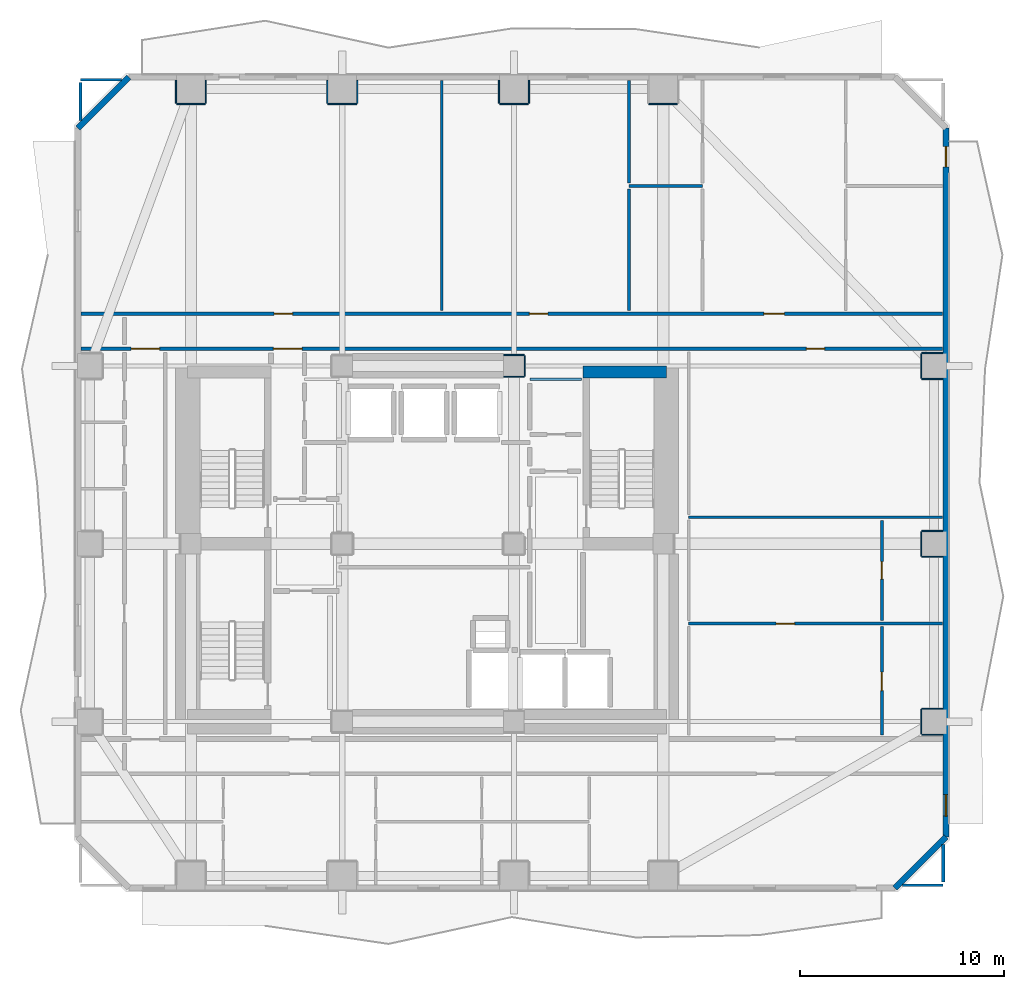
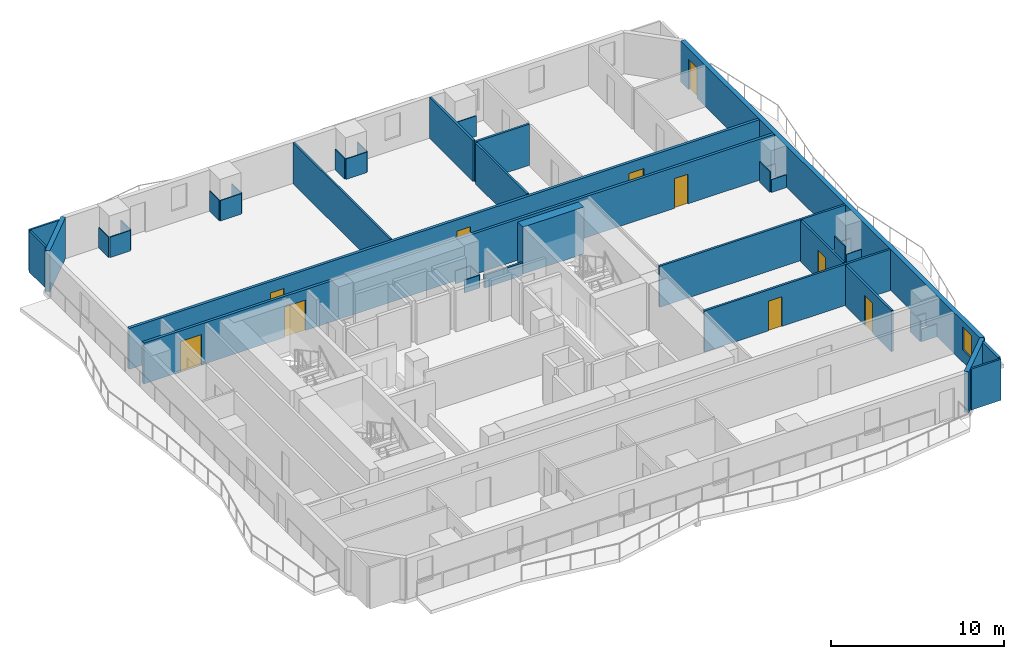
# One storey, part 5 of 10: 41 walls, 10 doors, 1 window, 11 openings.
"""IFC4 building model written with IfcOpenShell, lengths in metres."""

from ifc_helpers import new_model, si_unit, direction, frame, frame_2d, origin, place, context, subcontext, project, spatial, rectangle, extrude, material, layer, layer_set, type_object, element, fill, save


model = new_model("IFC4")

# Units and contexts
model_context = context("Model", 3, precision=1e-05, world=origin(), true_north=direction((0.0, 1.0)))
body_context = subcontext(model_context, "Body", "Model", "MODEL_VIEW")
ifc_project = project(units=[si_unit("LENGTHUNIT", "METRE"), si_unit("AREAUNIT", "SQUARE_METRE"), si_unit("VOLUMEUNIT", "CUBIC_METRE"), si_unit("PLANEANGLEUNIT", "RADIAN"), si_unit("MASSUNIT", "GRAM", prefix="KILO")], contexts=[model_context])

# Site, building, storey
site_placement = place(None, origin())
site = spatial("IfcSite", under=ifc_project, at=site_placement, CompositionType="ELEMENT")
building_placement = place(site_placement, origin())
building = spatial("IfcBuilding", under=site, at=building_placement, Name="Solanera Arch Residences", CompositionType="ELEMENT")
storey_placement = place(building_placement, frame((0.0, 0.0, 78.43994140625)))
storey = spatial("IfcBuildingStorey", under=building, at=storey_placement, Name="L22", CompositionType="ELEMENT", Elevation=78.43994140625)

# Walls
ifc_material_1 = material(Name="Fire-Rated Gypsum Stud Partition", Category="gypsum")
ifc_layer_1 = layer(ifc_material_1, 0.06005859375)
ifc_layer_set_1 = layer_set([ifc_layer_1], Name="Fire-Rated Gypsum Stud Partition")
wall_type_1 = type_object("IfcWallType", Name="Column Acoustic Furring Wall 60", PredefinedType="PARTITIONING", material=ifc_layer_set_1)
for number, where, z_axis, x_axis, name in (
    (1, (28.7099609375, 38.867919921875, 0.0), (0.0, 0.0, 1.0), (1.0, 0.0, 0.0), "L22 Column Furring 4S"),
    (2, (28.7099609375, 39.931884765625, 0.0), (0.0, 0.0, 1.0), (1.0, 0.0, 0.0), "L22 Column Furring 4N"),
):
    element("IfcWall", number, at=place(storey_placement, frame(where, z_axis=z_axis, x_axis=x_axis)), inside=storey, type_object=wall_type_1, Name=name, PredefinedType="PARTITIONING", context=body_context, shape_type="SweptSolid", body=[
        extrude(rectangle(XDim=0.989990234375, YDim=0.06005859375, at=frame_2d((0.4951171875, 0.0))), origin(), (0.0, 0.0, 1.0), 0.905029296875),
    ])
wall_1_placement = place(storey_placement, frame((29.73193359375, 38.89990234375, 0.0), z_axis=(0.0, 0.0, 1.0), x_axis=(0.0, 1.0, 0.0)))
element("IfcWall", 3, at=wall_1_placement, inside=storey, type_object=wall_type_1, Name="L22 Column Furring 4E", PredefinedType="PARTITIONING", context=body_context, shape_type="SweptSolid", body=[
    extrude(rectangle(XDim=1.0, YDim=0.06005859375, at=frame_2d((0.5, 0.0))), origin(), (0.0, 0.0, 1.0), 0.905029296875),
])
wall_2_placement = place(storey_placement, frame((12.699951171875, 52.218017578125, 0.0), z_axis=(0.0, 0.0, 1.0), x_axis=(1.0, 0.0, 0.0)))
element("IfcWall", 4, at=wall_2_placement, inside=storey, type_object=wall_type_1, Name="L22 Column Furring 10S", PredefinedType="PARTITIONING", context=body_context, shape_type="SweptSolid", body=[
    extrude(rectangle(XDim=1.400146484375, YDim=0.06005859375, at=frame_2d((0.7001953125, 0.0))), origin(), (0.0, 0.0, 1.0), 1.449951171875),
])
for number, where, z_axis, x_axis, name in (
    (5, (12.66796875, 52.25, 0.0), (0.0, 0.0, 1.0), (0.0, 1.0, 0.0), "L22 Column Furring 10W"),
    (6, (14.132080078125, 52.25, 0.0), (0.0, 0.0, 1.0), (0.0, 1.0, 0.0), "L22 Column Furring 10E"),
):
    element("IfcWall", number, at=place(storey_placement, frame(where, z_axis=z_axis, x_axis=x_axis)), inside=storey, type_object=wall_type_1, Name=name, PredefinedType="PARTITIONING", context=body_context, shape_type="SweptSolid", body=[
        extrude(rectangle(XDim=1.1201171875, YDim=0.06005859375, at=frame_2d((0.56005859375, 0.0))), origin(), (0.0, 0.0, 1.0), 1.449951171875),
    ])
wall_3_placement = place(storey_placement, frame((20.10009765625, 52.218017578125, 0.0), z_axis=(0.0, 0.0, 1.0), x_axis=(1.0, 0.0, 0.0)))
element("IfcWall", 7, at=wall_3_placement, inside=storey, type_object=wall_type_1, Name="L22 Column Furring 12S", PredefinedType="PARTITIONING", context=body_context, shape_type="SweptSolid", body=[
    extrude(rectangle(XDim=1.39990234375, YDim=0.06005859375, at=frame_2d((0.699951171875, 0.0))), origin(), (0.0, 0.0, 1.0), 1.449951171875),
])
for number, where, z_axis, x_axis, name in (
    (8, (20.068115234375, 52.25, 0.0), (0.0, 0.0, 1.0), (0.0, 1.0, 0.0), "L22 Column Furring 12W"),
    (9, (21.531982421875, 52.25, 0.0), (0.0, 0.0, 1.0), (0.0, 1.0, 0.0), "L22 Column Furring 12E"),
):
    element("IfcWall", number, at=place(storey_placement, frame(where, z_axis=z_axis, x_axis=x_axis)), inside=storey, type_object=wall_type_1, Name=name, PredefinedType="PARTITIONING", context=body_context, shape_type="SweptSolid", body=[
        extrude(rectangle(XDim=1.1201171875, YDim=0.06005859375, at=frame_2d((0.56005859375, 0.0))), origin(), (0.0, 0.0, 1.0), 1.449951171875),
    ])
wall_4_placement = place(storey_placement, frame((28.5, 52.218017578125, 0.0), z_axis=(0.0, 0.0, 1.0), x_axis=(1.0, 0.0, 0.0)))
element("IfcWall", 10, at=wall_4_placement, inside=storey, type_object=wall_type_1, Name="L22 Column Furring 14S", PredefinedType="PARTITIONING", context=body_context, shape_type="SweptSolid", body=[
    extrude(rectangle(XDim=1.39990234375, YDim=0.06005859375, at=frame_2d((0.699951171875, 0.0))), origin(), (0.0, 0.0, 1.0), 1.449951171875),
])
for number, where, z_axis, x_axis, name in (
    (11, (28.468017578125, 52.25, 0.0), (0.0, 0.0, 1.0), (0.0, 1.0, 0.0), "L22 Column Furring 14W"),
    (12, (29.931884765625, 52.25, 0.0), (0.0, 0.0, 1.0), (0.0, 1.0, 0.0), "L22 Column Furring 14E"),
):
    element("IfcWall", number, at=place(storey_placement, frame(where, z_axis=z_axis, x_axis=x_axis)), inside=storey, type_object=wall_type_1, Name=name, PredefinedType="PARTITIONING", context=body_context, shape_type="SweptSolid", body=[
        extrude(rectangle(XDim=1.1201171875, YDim=0.06005859375, at=frame_2d((0.56005859375, 0.0))), origin(), (0.0, 0.0, 1.0), 1.449951171875),
    ])
wall_5_placement = place(storey_placement, frame((35.800048828125, 52.218017578125, 0.0), z_axis=(0.0, 0.0, 1.0), x_axis=(1.0, 0.0, 0.0)))
element("IfcWall", 13, at=wall_5_placement, inside=storey, type_object=wall_type_1, Name="L22 Column Furring 16S", PredefinedType="PARTITIONING", context=body_context, shape_type="SweptSolid", body=[
    extrude(rectangle(XDim=1.39990234375, YDim=0.06005859375, at=frame_2d((0.699951171875, 0.0))), origin(), (0.0, 0.0, 1.0), 1.449951171875),
])
for number, where, z_axis, x_axis, name in (
    (14, (49.14990234375, 21.367919921875, 0.0), (0.0, 0.0, 1.0), (1.0, 0.0, 0.0), "L22 Column Furring 18S"),
    (15, (49.14990234375, 22.632080078125, 0.0), (0.0, 0.0, 1.0), (1.0, 0.0, 0.0), "L22 Column Furring 18N"),
):
    element("IfcWall", number, at=place(storey_placement, frame(where, z_axis=z_axis, x_axis=x_axis)), inside=storey, type_object=wall_type_1, Name=name, PredefinedType="PARTITIONING", context=body_context, shape_type="SweptSolid", body=[
        extrude(rectangle(XDim=1.02001953125, YDim=0.06005859375, at=frame_2d((0.510009765625, 0.0))), origin(), (0.0, 0.0, 1.0), 0.905029296875),
    ])
wall_6_placement = place(storey_placement, frame((49.117919921875, 21.39990234375, 0.0), z_axis=(0.0, 0.0, 1.0), x_axis=(0.0, 1.0, 0.0)))
element("IfcWall", 16, at=wall_6_placement, inside=storey, type_object=wall_type_1, Name="L22 Column Furring 18W", PredefinedType="PARTITIONING", context=body_context, shape_type="SweptSolid", body=[
    extrude(rectangle(XDim=1.2001953125, YDim=0.06005859375, at=frame_2d((0.60009765625, 0.0))), origin(), (0.0, 0.0, 1.0), 1.449951171875),
])
for number, where, z_axis, x_axis, name in (
    (17, (49.14990234375, 30.068115234375, 0.0), (0.0, 0.0, 1.0), (1.0, 0.0, 0.0), "L22 Column Furring 20S"),
    (18, (49.14990234375, 31.33203125, 0.0), (0.0, 0.0, 1.0), (1.0, 0.0, 0.0), "L22 Column Furring 20N"),
):
    element("IfcWall", number, at=place(storey_placement, frame(where, z_axis=z_axis, x_axis=x_axis)), inside=storey, type_object=wall_type_1, Name=name, PredefinedType="PARTITIONING", context=body_context, shape_type="SweptSolid", body=[
        extrude(rectangle(XDim=1.02001953125, YDim=0.06005859375, at=frame_2d((0.510009765625, 0.0))), origin(), (0.0, 0.0, 1.0), 0.905029296875),
    ])
wall_7_placement = place(storey_placement, frame((49.117919921875, 30.10009765625, 0.0), z_axis=(0.0, 0.0, 1.0), x_axis=(0.0, 1.0, 0.0)))
element("IfcWall", 19, at=wall_7_placement, inside=storey, type_object=wall_type_1, Name="L22 Column Furring 20W", PredefinedType="PARTITIONING", context=body_context, shape_type="SweptSolid", body=[
    extrude(rectangle(XDim=1.199951171875, YDim=0.06005859375, at=frame_2d((0.60009765625, 0.0))), origin(), (0.0, 0.0, 1.0), 1.449951171875),
])
for number, where, z_axis, x_axis, name in (
    (20, (49.14990234375, 38.76806640625, 0.0), (0.0, 0.0, 1.0), (1.0, 0.0, 0.0), "L22 Column Furring 22S"),
    (21, (49.14990234375, 40.031982421875, 0.0), (0.0, 0.0, 1.0), (1.0, 0.0, 0.0), "L22 Column Furring 22N"),
):
    element("IfcWall", number, at=place(storey_placement, frame(where, z_axis=z_axis, x_axis=x_axis)), inside=storey, type_object=wall_type_1, Name=name, PredefinedType="PARTITIONING", context=body_context, shape_type="SweptSolid", body=[
        extrude(rectangle(XDim=1.02001953125, YDim=0.06005859375, at=frame_2d((0.510009765625, 0.0))), origin(), (0.0, 0.0, 1.0), 0.905029296875),
    ])
wall_8_placement = place(storey_placement, frame((49.117919921875, 38.800048828125, 0.0), z_axis=(0.0, 0.0, 1.0), x_axis=(0.0, 1.0, 0.0)))
element("IfcWall", 22, at=wall_8_placement, inside=storey, type_object=wall_type_1, Name="L22 Column Furring 22W", PredefinedType="PARTITIONING", context=body_context, shape_type="SweptSolid", body=[
    extrude(rectangle(XDim=1.199951171875, YDim=0.06005859375, at=frame_2d((0.60009765625, 0.0))), origin(), (0.0, 0.0, 1.0), 1.449951171875),
])
ifc_material_2 = material(Name="Concrete C40/50 (f'c = 45 MPa)", Category="concrete")
ifc_layer_2 = layer(ifc_material_2, 0.60009765625)
ifc_layer_set_2 = layer_set([ifc_layer_2], Name="Concrete C40/50 (f'c = 45 MPa)")
wall_type_2 = type_object("IfcWallType", Name="Core Shear Wall CW-600", PredefinedType="SHEAR", material=ifc_layer_set_2)
wall_9_placement = place(storey_placement, frame((32.580078125, 39.10009765625, 0.0), z_axis=(0.0, 0.0, 1.0), x_axis=(1.0, 0.0, 0.0)))
element("IfcWall", 23, at=wall_9_placement, inside=storey, type_object=wall_type_2, Name="L22 North-East Core Shear Wall", PredefinedType="SHEAR", context=body_context, shape_type="SweptSolid", body=[
    extrude(rectangle(XDim=4.079833984375, YDim=0.60009765625, at=frame_2d((2.0400390625, 0.0))), origin(), (0.0, 0.0, 1.0), 3.320068359375),
])

# Wall, openings, doors
ifc_material_3 = material(Name="Autoclaved Aerated Concrete Blockwork", Category="masonry")
ifc_layer_3 = layer(ifc_material_3, 0.179931640625)
ifc_layer_set_3 = layer_set([ifc_layer_3], Name="Autoclaved Aerated Concrete Blockwork")
wall_type_3 = type_object("IfcWallType", Name="Corridor Fire Partition 180", PredefinedType="PARTITIONING", material=ifc_layer_set_3)
wall_10_placement = place(storey_placement, frame((8.027099609375, 40.25, 0.0), z_axis=(0.0, 0.0, 1.0), x_axis=(1.0, 0.0, 0.0)))
wall_10 = element("IfcWall", 24, at=wall_10_placement, inside=storey, type_object=wall_type_3, Name="L22 Interior Partition H10", PredefinedType="PARTITIONING", context=body_context, shape_type="SweptSolid", body=[
    extrude(rectangle(XDim=42.14599609375, YDim=0.179931640625, at=frame_2d((21.072998046875, 0.0))), origin(), (0.0, 0.0, 1.0), 2.900146484375),
])
opening_1_placement = place(wall_10_placement, frame((9.407958984375, 0.0, 0.0)))
opening_1 = element("IfcOpeningElement", 25, at=opening_1_placement, cuts=wall_10, Name="Opening DF-03", PredefinedType="OPENING", context=body_context, shape_type="SweptSolid", body=[
    extrude(rectangle(XDim=1.39990234375, YDim=2.14990234375, at=frame_2d((0.699951171875, 1.074951171875))), frame((0.0, 0.10009765625, 0.0), z_axis=(0.0, -1.0, 0.0), x_axis=(1.0, 0.0, 0.0)), (0.0, 0.0, 1.0), 0.1999),
])
opening_2_placement = place(wall_10_placement, frame((2.447021484375, 0.0, 0.0)))
opening_2 = element("IfcOpeningElement", 26, at=opening_2_placement, cuts=wall_10, Name="Opening DF-03", PredefinedType="OPENING", context=body_context, shape_type="SweptSolid", body=[
    extrude(rectangle(XDim=1.39990234375, YDim=2.14990234375, at=frame_2d((0.699951171875, 1.074951171875))), frame((0.0, 0.10009765625, 0.0), z_axis=(0.0, -1.0, 0.0), x_axis=(1.0, 0.0, 0.0)), (0.0, 0.0, 1.0), 0.1999),
])
opening_3_placement = place(wall_10_placement, frame((35.47412109375, 0.0, 0.0)))
opening_3 = element("IfcOpeningElement", 27, at=opening_3_placement, cuts=wall_10, Name="Opening DI-02", PredefinedType="OPENING", context=body_context, shape_type="SweptSolid", body=[
    extrude(rectangle(XDim=0.89990234375, YDim=2.10009765625, at=frame_2d((0.449951171875, 1.050048828125))), frame((0.0, 0.10009765625, 0.0), z_axis=(0.0, -1.0, 0.0), x_axis=(1.0, 0.0, 0.0)), (0.0, 0.0, 1.0), 0.1999),
])
ifc_material_4 = material(Name="Fire-Rated Architectural Hardwood", Category="wood")
door_type_1 = type_object("IfcDoorType", Name="Corridor Smoke Door DF-03", OperationType="NOTDEFINED", PredefinedType="DOOR", material=ifc_material_4)
door_1_placement = place(opening_1_placement, origin())
door_1 = element("IfcDoor", 28, at=door_1_placement, inside=storey, type_object=door_type_1, Name="DR-L22-IN-009", OperationType="SINGLE_SWING_LEFT", OverallHeight=2.14990234375, OverallWidth=1.39990234375, PredefinedType="DOOR", context=body_context, shape_type="SweptSolid", body=[
    extrude(rectangle(XDim=1.39990234375, YDim=2.14990234375, at=frame_2d((0.699951171875, 1.074951171875))), frame((0.0, 0.02490234375, 0.0), z_axis=(0.0, -1.0, 0.0), x_axis=(1.0, 0.0, 0.0)), (0.0, 0.0, 1.0), 0.050048828125),
])
fill(opening_1, door_1)
door_2_placement = place(opening_2_placement, origin())
door_2 = element("IfcDoor", 29, at=door_2_placement, inside=storey, type_object=door_type_1, Name="DR-L22-IN-011", OperationType="SINGLE_SWING_LEFT", OverallHeight=2.14990234375, OverallWidth=1.39990234375, PredefinedType="DOOR", context=body_context, shape_type="SweptSolid", body=[
    extrude(rectangle(XDim=1.39990234375, YDim=2.14990234375, at=frame_2d((0.699951171875, 1.074951171875))), frame((0.0, 0.02490234375, 0.0), z_axis=(0.0, -1.0, 0.0), x_axis=(1.0, 0.0, 0.0)), (0.0, 0.0, 1.0), 0.050048828125),
])
fill(opening_2, door_2)
ifc_material_5 = material(Name="Fire-Rated Architectural Hardwood", Category="wood")
door_type_2 = type_object("IfcDoorType", Name="Suite Room Swing Door DI-02", OperationType="NOTDEFINED", PredefinedType="DOOR", material=ifc_material_5)
door_3_placement = place(opening_3_placement, origin())
door_3 = element("IfcDoor", 30, at=door_3_placement, inside=storey, type_object=door_type_2, Name="DR-L22-IN-037", OperationType="SINGLE_SWING_LEFT", OverallHeight=2.10009765625, OverallWidth=0.89990234375, PredefinedType="DOOR", context=body_context, shape_type="SweptSolid", body=[
    extrude(rectangle(XDim=0.89990234375, YDim=2.10009765625, at=frame_2d((0.449951171875, 1.050048828125))), frame((0.0, 0.02490234375, 0.0), z_axis=(0.0, -1.0, 0.0), x_axis=(1.0, 0.0, 0.0)), (0.0, 0.0, 1.0), 0.050048828125),
])
fill(opening_3, door_3)

wall_11_placement = place(storey_placement, frame((8.027099609375, 41.949951171875, 0.0), z_axis=(0.0, 0.0, 1.0), x_axis=(1.0, 0.0, 0.0)))
wall_11 = element("IfcWall", 31, at=wall_11_placement, inside=storey, type_object=wall_type_3, Name="L22 Interior Partition H11", PredefinedType="PARTITIONING", context=body_context, shape_type="SweptSolid", body=[
    extrude(rectangle(XDim=42.14599609375, YDim=0.179931640625, at=frame_2d((21.072998046875, 0.0))), origin(), (0.0, 0.0, 1.0), 2.900146484375),
])
opening_4_placement = place(wall_11_placement, frame((9.447998046875, 0.0, 0.0)))
opening_4 = element("IfcOpeningElement", 32, at=opening_4_placement, cuts=wall_11, Name="Opening DI-02", PredefinedType="OPENING", context=body_context, shape_type="SweptSolid", body=[
    extrude(rectangle(XDim=0.89990234375, YDim=2.10009765625, at=frame_2d((0.449951171875, 1.050048828125))), frame((0.0, 0.10009765625, 0.0), z_axis=(0.0, -1.0, 0.0), x_axis=(1.0, 0.0, 0.0)), (0.0, 0.0, 1.0), 0.1999),
])
opening_5_placement = place(wall_11_placement, frame((21.93310546875, 0.0, 0.0)))
opening_5 = element("IfcOpeningElement", 33, at=opening_5_placement, cuts=wall_11, Name="Opening DI-02", PredefinedType="OPENING", context=body_context, shape_type="SweptSolid", body=[
    extrude(rectangle(XDim=0.89990234375, YDim=2.10009765625, at=frame_2d((0.449951171875, 1.050048828125))), frame((0.0, 0.10009765625, 0.0), z_axis=(0.0, -1.0, 0.0), x_axis=(1.0, 0.0, 0.0)), (0.0, 0.0, 1.0), 0.1999),
])
opening_6_placement = place(wall_11_placement, frame((33.40087890625, 0.0, 0.0)))
opening_6 = element("IfcOpeningElement", 34, at=opening_6_placement, cuts=wall_11, Name="Opening DI-01", PredefinedType="OPENING", context=body_context, shape_type="SweptSolid", body=[
    extrude(rectangle(XDim=1.0, YDim=2.14990234375, at=frame_2d((0.5, 1.074951171875))), frame((0.0, 0.10009765625, 0.0), z_axis=(0.0, -1.0, 0.0), x_axis=(1.0, 0.0, 0.0)), (0.0, 0.0, 1.0), 0.1999),
])
door_4_placement = place(opening_4_placement, origin())
door_4 = element("IfcDoor", 35, at=door_4_placement, inside=storey, type_object=door_type_2, Name="DR-L22-IN-023", OperationType="SINGLE_SWING_LEFT", OverallHeight=2.10009765625, OverallWidth=0.89990234375, PredefinedType="DOOR", context=body_context, shape_type="SweptSolid", body=[
    extrude(rectangle(XDim=0.89990234375, YDim=2.10009765625, at=frame_2d((0.449951171875, 1.050048828125))), frame((0.0, 0.02490234375, 0.0), z_axis=(0.0, -1.0, 0.0), x_axis=(1.0, 0.0, 0.0)), (0.0, 0.0, 1.0), 0.050048828125),
])
fill(opening_4, door_4)
door_5_placement = place(opening_5_placement, origin())
door_5 = element("IfcDoor", 36, at=door_5_placement, inside=storey, type_object=door_type_2, Name="DR-L22-IN-024", OperationType="SINGLE_SWING_RIGHT", OverallHeight=2.10009765625, OverallWidth=0.89990234375, PredefinedType="DOOR", context=body_context, shape_type="SweptSolid", body=[
    extrude(rectangle(XDim=0.89990234375, YDim=2.10009765625, at=frame_2d((0.449951171875, 1.050048828125))), frame((0.0, 0.02490234375, 0.0), z_axis=(0.0, -1.0, 0.0), x_axis=(1.0, 0.0, 0.0)), (0.0, 0.0, 1.0), 0.050048828125),
])
fill(opening_5, door_5)
ifc_material_6 = material(Name="Fire-Rated Architectural Hardwood", Category="wood")
door_type_3 = type_object("IfcDoorType", Name="Unit Entrance Fire Door DI-01", OperationType="NOTDEFINED", PredefinedType="DOOR", material=ifc_material_6)
door_6_placement = place(opening_6_placement, origin())
door_6 = element("IfcDoor", 37, at=door_6_placement, inside=storey, type_object=door_type_3, Name="DR-L22-IN-025", OperationType="SINGLE_SWING_LEFT", OverallHeight=2.14990234375, OverallWidth=1.0, PredefinedType="DOOR", context=body_context, shape_type="SweptSolid", body=[
    extrude(rectangle(XDim=1.0, YDim=2.14990234375, at=frame_2d((0.5, 1.074951171875))), frame((0.0, 0.02490234375, 0.0), z_axis=(0.0, -1.0, 0.0), x_axis=(1.0, 0.0, 0.0)), (0.0, 0.0, 1.0), 0.050048828125),
])
fill(opening_6, door_6)

# Walls
wall_12_placement = place(storey_placement, frame((50.199951171875, 14.157958984375, 0.0), z_axis=(0.0, 0.0, 1.0), x_axis=(0.0, 1.0, 0.0)))
element("IfcWall", 38, at=wall_12_placement, inside=storey, type_object=wall_type_3, Name="L22 Interior Partition V9 1", PredefinedType="PARTITIONING", context=body_context, shape_type="SweptSolid", body=[
    extrude(rectangle(XDim=1.843017578125, YDim=0.179931640625, at=frame_2d((0.92138671875, 0.0))), origin(), (0.0, 0.0, 1.0), 2.900146484375),
])
ifc_material_7 = material(Name="Precast Concrete C35/45", Category="concrete")
ifc_layer_4 = layer(ifc_material_7, 0.300048828125)
ifc_layer_set_4 = layer_set([ifc_layer_4], Name="Precast Concrete C35/45")
wall_type_4 = type_object("IfcWallType", Name="Exterior Wall Precast Masonry-Frame 300", PredefinedType="STANDARD", material=ifc_layer_set_4)
wall_13_placement = place(storey_placement, frame((7.864990234375, 51.034912109375, 0.0), z_axis=(0.0, 0.0, 1.0), x_axis=(0.707106781187, 0.707106781187, 0.0)))
element("IfcWall", 39, at=wall_13_placement, inside=storey, type_object=wall_type_4, Name="L22 Tower Exterior Precast Masonry-Frame Wall CH1", PredefinedType="STANDARD", context=body_context, shape_type="SweptSolid", body=[
    extrude(rectangle(XDim=3.53564453125, YDim=0.300048828125, at=frame_2d((1.767822265625, 0.0))), origin(), (0.0, 0.0, 1.0), 2.900146484375),
])

# Wall, openings, door, window
wall_14_placement = place(storey_placement, frame((50.3349609375, 51.034912109375, 0.0), z_axis=(0.0, 0.0, 1.0), x_axis=(0.0, -1.0, 0.0)))
wall_14 = element("IfcWall", 40, at=wall_14_placement, inside=storey, type_object=wall_type_4, Name="L22 Tower Exterior Precast Masonry-Frame Wall E", PredefinedType="STANDARD", context=body_context, shape_type="SweptSolid", body=[
    extrude(rectangle(XDim=34.669921875, YDim=0.300048828125, at=frame_2d((17.3349609375, 0.0))), origin(), (0.0, 0.0, 1.0), 2.900146484375),
])
opening_7_placement = place(wall_14_placement, frame((0.90087890625, 0.0, 0.0)))
opening_7 = element("IfcOpeningElement", 41, at=opening_7_placement, cuts=wall_14, Name="Opening DB-01", PredefinedType="OPENING", context=body_context, shape_type="SweptSolid", body=[
    extrude(rectangle(XDim=1.0, YDim=2.14990234375, at=frame_2d((0.5, 1.074951171875))), frame((0.0, 0.159912109375, 0.0), z_axis=(0.0, -1.0, 0.0), x_axis=(1.0, 0.0, 0.0)), (0.0, 0.0, 1.0), 0.32),
])
opening_8_placement = place(wall_14_placement, frame((32.60791015625, 0.0, 0.85009765625)))
opening_8 = element("IfcOpeningElement", 42, at=opening_8_placement, cuts=wall_14, Name="Opening W-07", PredefinedType="OPENING", context=body_context, shape_type="SweptSolid", body=[
    extrude(rectangle(XDim=1.050048828125, YDim=1.64990234375, at=frame_2d((0.52490234375, 0.824951171875))), frame((0.0, 0.159912109375, 0.0), z_axis=(0.0, -1.0, 0.0), x_axis=(1.0, 0.0, 0.0)), (0.0, 0.0, 1.0), 0.32),
])
ifc_material_8 = material(Name="Anodised Aluminium Alloy 6063-T6", Category="aluminium")
door_type_4 = type_object("IfcDoorType", Name="Glazed Balcony Swing Door DB-01", OperationType="NOTDEFINED", PredefinedType="DOOR", material=ifc_material_8)
door_7_placement = place(opening_7_placement, origin())
door_7 = element("IfcDoor", 43, at=door_7_placement, inside=storey, type_object=door_type_4, Name="DR-L22-OUT-03", OperationType="SINGLE_SWING_RIGHT", OverallHeight=2.14990234375, OverallWidth=1.0, PredefinedType="DOOR", context=body_context, shape_type="SweptSolid", body=[
    extrude(rectangle(XDim=1.0, YDim=2.14990234375, at=frame_2d((0.5, 1.074951171875))), frame((0.0, 0.02490234375, 0.0), z_axis=(0.0, -1.0, 0.0), x_axis=(1.0, 0.0, 0.0)), (0.0, 0.0, 1.0), 0.050048828125),
])
fill(opening_7, door_7)
ifc_material_9 = material(Name="Double Glazed Low-E Laminated Glass", Category="glass")
window_type = type_object("IfcWindowType", Name="Punched Window W-07", PartitioningType="SINGLE_PANEL", PredefinedType="WINDOW", material=ifc_material_9)
window_placement = place(opening_8_placement, origin())
window = element("IfcWindow", 44, at=window_placement, inside=storey, type_object=window_type, Name="L22 AMN-LNG Punched Window", OverallHeight=1.64990234375, OverallWidth=1.050048828125, PartitioningType="SINGLE_PANEL", PredefinedType="WINDOW", context=body_context, shape_type="SweptSolid", body=[
    extrude(rectangle(XDim=1.050048828125, YDim=1.64990234375, at=frame_2d((0.52490234375, 0.824951171875))), frame((0.0, 0.030029296875, 0.0), z_axis=(0.0, -1.0, 0.0), x_axis=(1.0, 0.0, 0.0)), (0.0, 0.0, 1.0), 0.06005859375),
])
fill(opening_8, window)

# Walls
wall_15_placement = place(storey_placement, frame((50.3349609375, 16.364990234375, 0.0), z_axis=(0.0, 0.0, 1.0), x_axis=(-0.707106781187, -0.707106781187, 0.0)))
element("IfcWall", 45, at=wall_15_placement, inside=storey, type_object=wall_type_4, Name="L22 Tower Exterior Precast Masonry-Frame Wall CH5", PredefinedType="STANDARD", context=body_context, shape_type="SweptSolid", body=[
    extrude(rectangle(XDim=3.53564453125, YDim=0.300048828125, at=frame_2d((1.767822265625, 0.0))), origin(), (0.0, 0.0, 1.0), 2.900146484375),
])
ifc_material_10 = material(Name="Fire-Rated Gypsum Stud Partition", Category="gypsum")
ifc_layer_5 = layer(ifc_material_10, 0.1201171875)
ifc_layer_set_5 = layer_set([ifc_layer_5], Name="Fire-Rated Gypsum Stud Partition")
wall_type_5 = type_object("IfcWallType", Name="Unit Drywall Partition 120", PredefinedType="PARTITIONING", material=ifc_layer_set_5)
for number, where, z_axis, x_axis, name in (
    (46, (48.198974609375, 14.0, 0.0), (0.0, 0.0, 1.0), (1.0, 0.0, 0.0), "L22 Interior Partition H21 2"),
    (47, (8.0, 53.39990234375, 0.0), (0.0, 0.0, 1.0), (1.0, 0.0, 0.0), "L22 Interior Partition H23 1"),
):
    element("IfcWall", number, at=place(storey_placement, frame(where, z_axis=z_axis, x_axis=x_axis)), inside=storey, type_object=wall_type_5, Name=name, PredefinedType="PARTITIONING", context=body_context, shape_type="SweptSolid", body=[
        extrude(rectangle(XDim=2.0009765625, YDim=0.1201171875, at=frame_2d((1.00048828125, 0.0))), origin(), (0.0, 0.0, 1.0), 2.900146484375),
    ])
wall_16_placement = place(storey_placement, frame((25.679931640625, 42.10791015625, 0.0), z_axis=(0.0, 0.0, 1.0), x_axis=(0.0, 1.0, 0.0)))
element("IfcWall", 48, at=wall_16_placement, inside=storey, type_object=wall_type_5, Name="L22 Interior Partition V18", PredefinedType="PARTITIONING", context=body_context, shape_type="SweptSolid", body=[
    extrude(rectangle(XDim=11.26513671875, YDim=0.1201171875, at=frame_2d((5.632568359375, 0.0))), origin(), (0.0, 0.0, 1.0), 2.900146484375),
])

# Wall, opening, door
ifc_material_11 = material(Name="Autoclaved Aerated Concrete Blockwork", Category="masonry")
ifc_layer_6 = layer(ifc_material_11, 0.139892578125)
ifc_layer_set_6 = layer_set([ifc_layer_6], Name="Autoclaved Aerated Concrete Blockwork")
wall_type_6 = type_object("IfcWallType", Name="Wet-Room Partition 140", PredefinedType="PARTITIONING", material=ifc_layer_set_6)
wall_17_placement = place(storey_placement, frame((37.75, 26.800048828125, 0.0), z_axis=(0.0, 0.0, 1.0), x_axis=(1.0, 0.0, 0.0)))
wall_17 = element("IfcWall", 49, at=wall_17_placement, inside=storey, type_object=wall_type_6, Name="L22 Interior Partition H14", PredefinedType="PARTITIONING", context=body_context, shape_type="SweptSolid", body=[
    extrude(rectangle(XDim=12.423095703125, YDim=0.139892578125, at=frame_2d((6.21142578125, 0.0))), origin(), (0.0, 0.0, 1.0), 2.900146484375),
])
opening_9_placement = place(wall_17_placement, frame((4.27490234375, 0.0, 0.0)))
opening_9 = element("IfcOpeningElement", 50, at=opening_9_placement, cuts=wall_17, Name="Opening DI-02", PredefinedType="OPENING", context=body_context, shape_type="SweptSolid", body=[
    extrude(rectangle(XDim=0.89990234375, YDim=2.10009765625, at=frame_2d((0.449951171875, 1.050048828125))), frame((0.0, 0.079833984375, 0.0), z_axis=(0.0, -1.0, 0.0), x_axis=(1.0, 0.0, 0.0)), (0.0, 0.0, 1.0), 0.1599),
])
door_8_placement = place(opening_9_placement, origin())
door_8 = element("IfcDoor", 51, at=door_8_placement, inside=storey, type_object=door_type_2, Name="DR-L22-IN-034", OperationType="SINGLE_SWING_RIGHT", OverallHeight=2.10009765625, OverallWidth=0.89990234375, PredefinedType="DOOR", context=body_context, shape_type="SweptSolid", body=[
    extrude(rectangle(XDim=0.89990234375, YDim=2.10009765625, at=frame_2d((0.449951171875, 1.050048828125))), frame((0.0, 0.02490234375, 0.0), z_axis=(0.0, -1.0, 0.0), x_axis=(1.0, 0.0, 0.0)), (0.0, 0.0, 1.0), 0.050048828125),
])
fill(opening_9, door_8)

# Walls
wall_18_placement = place(storey_placement, frame((37.75, 32.0, 0.0), z_axis=(0.0, 0.0, 1.0), x_axis=(1.0, 0.0, 0.0)))
element("IfcWall", 52, at=wall_18_placement, inside=storey, type_object=wall_type_6, Name="L22 Interior Partition H15", PredefinedType="PARTITIONING", context=body_context, shape_type="SweptSolid", body=[
    extrude(rectangle(XDim=12.423095703125, YDim=0.139892578125, at=frame_2d((6.21142578125, 0.0))), origin(), (0.0, 0.0, 1.0), 2.900146484375),
])
wall_19_placement = place(storey_placement, frame((29.97509765625, 38.75, 0.0), z_axis=(0.0, 0.0, 1.0), x_axis=(1.0, 0.0, 0.0)))
element("IfcWall", 53, at=wall_19_placement, inside=storey, type_object=wall_type_6, Name="L22 Interior Partition H18", PredefinedType="PARTITIONING", context=body_context, shape_type="SweptSolid", body=[
    extrude(rectangle(XDim=2.52490234375, YDim=0.139892578125, at=frame_2d((1.262451171875, 0.0))), origin(), (0.0, 0.0, 1.0), 0.905029296875),
])
wall_20_placement = place(storey_placement, frame((34.820068359375, 48.199951171875, 0.0), z_axis=(0.0, 0.0, 1.0), x_axis=(1.0, 0.0, 0.0)))
element("IfcWall", 54, at=wall_20_placement, inside=storey, type_object=wall_type_6, Name="L22 Interior Partition H19", PredefinedType="PARTITIONING", context=body_context, shape_type="SweptSolid", body=[
    extrude(rectangle(XDim=3.60400390625, YDim=0.139892578125, at=frame_2d((1.802001953125, 0.0))), origin(), (0.0, 0.0, 1.0), 2.900146484375),
])
wall_21_placement = place(storey_placement, frame((8.0, 51.39892578125, 0.0), z_axis=(0.0, 0.0, 1.0), x_axis=(0.0, 1.0, 0.0)))
element("IfcWall", 55, at=wall_21_placement, inside=storey, type_object=wall_type_6, Name="L22 Interior Partition V12", PredefinedType="PARTITIONING", context=body_context, shape_type="SweptSolid", body=[
    extrude(rectangle(XDim=1.863037109375, YDim=0.139892578125, at=frame_2d((0.931640625, 0.0))), origin(), (0.0, 0.0, 1.0), 2.900146484375),
])
wall_22_placement = place(storey_placement, frame((34.820068359375, 42.117919921875, 0.0), z_axis=(0.0, 0.0, 1.0), x_axis=(0.0, 1.0, 0.0)))
element("IfcWall", 56, at=wall_22_placement, inside=storey, type_object=wall_type_6, Name="L22 Interior Partition V14 1", PredefinedType="PARTITIONING", context=body_context, shape_type="SweptSolid", body=[
    extrude(rectangle(XDim=5.93408203125, YDim=0.139892578125, at=frame_2d((2.967041015625, 0.0))), origin(), (0.0, 0.0, 1.0), 2.900146484375),
])
wall_23_placement = place(storey_placement, frame((34.820068359375, 48.347900390625, 0.0), z_axis=(0.0, 0.0, 1.0), x_axis=(0.0, 1.0, 0.0)))
element("IfcWall", 57, at=wall_23_placement, inside=storey, type_object=wall_type_6, Name="L22 Interior Partition V14 2", PredefinedType="PARTITIONING", context=body_context, shape_type="SweptSolid", body=[
    extrude(rectangle(XDim=5.025146484375, YDim=0.139892578125, at=frame_2d((2.5126953125, 0.0))), origin(), (0.0, 0.0, 1.0), 2.900146484375),
])

# Wall, opening, door
wall_24_placement = place(storey_placement, frame((47.199951171875, 21.347900390625, 0.0), z_axis=(0.0, 0.0, 1.0), x_axis=(0.0, 1.0, 0.0)))
wall_24 = element("IfcWall", 58, at=wall_24_placement, inside=storey, type_object=wall_type_6, Name="L22 Interior Partition V16 1", PredefinedType="PARTITIONING", context=body_context, shape_type="SweptSolid", body=[
    extrude(rectangle(XDim=5.30419921875, YDim=0.139892578125, at=frame_2d((2.652099609375, 0.0))), origin(), (0.0, 0.0, 1.0), 2.900146484375),
])
opening_10_placement = place(wall_24_placement, frame((2.177001953125, 0.0, 0.0)))
opening_10 = element("IfcOpeningElement", 59, at=opening_10_placement, cuts=wall_24, Name="Opening DI-02", PredefinedType="OPENING", context=body_context, shape_type="SweptSolid", body=[
    extrude(rectangle(XDim=0.89990234375, YDim=2.10009765625, at=frame_2d((0.449951171875, 1.050048828125))), frame((0.0, 0.079833984375, 0.0), z_axis=(0.0, -1.0, 0.0), x_axis=(1.0, 0.0, 0.0)), (0.0, 0.0, 1.0), 0.1599),
])
door_9_placement = place(opening_10_placement, origin())
door_9 = element("IfcDoor", 60, at=door_9_placement, inside=storey, type_object=door_type_2, Name="DR-L22-IN-035", OperationType="SINGLE_SWING_LEFT", OverallHeight=2.10009765625, OverallWidth=0.89990234375, PredefinedType="DOOR", context=body_context, shape_type="SweptSolid", body=[
    extrude(rectangle(XDim=0.89990234375, YDim=2.10009765625, at=frame_2d((0.449951171875, 1.050048828125))), frame((0.0, 0.02490234375, 0.0), z_axis=(0.0, -1.0, 0.0), x_axis=(1.0, 0.0, 0.0)), (0.0, 0.0, 1.0), 0.050048828125),
])
fill(opening_10, door_9)

wall_25_placement = place(storey_placement, frame((47.199951171875, 26.947998046875, 0.0), z_axis=(0.0, 0.0, 1.0), x_axis=(0.0, 1.0, 0.0)))
wall_25 = element("IfcWall", 61, at=wall_25_placement, inside=storey, type_object=wall_type_6, Name="L22 Interior Partition V16 2", PredefinedType="PARTITIONING", context=body_context, shape_type="SweptSolid", body=[
    extrude(rectangle(XDim=4.904052734375, YDim=0.139892578125, at=frame_2d((2.4521484375, 0.0))), origin(), (0.0, 0.0, 1.0), 2.900146484375),
])
opening_11_placement = place(wall_25_placement, frame((2.02197265625, 0.0, 0.0)))
opening_11 = element("IfcOpeningElement", 62, at=opening_11_placement, cuts=wall_25, Name="Opening DI-05", PredefinedType="OPENING", context=body_context, shape_type="SweptSolid", body=[
    extrude(rectangle(XDim=0.860107421875, YDim=2.02001953125, at=frame_2d((0.43017578125, 1.010009765625))), frame((0.0, 0.079833984375, 0.0), z_axis=(0.0, -1.0, 0.0), x_axis=(1.0, 0.0, 0.0)), (0.0, 0.0, 1.0), 0.1599),
])
ifc_material_12 = material(Name="Fire-Rated Architectural Hardwood", Category="wood")
door_type_5 = type_object("IfcDoorType", Name="Bathroom Swing Door DI-05", OperationType="NOTDEFINED", PredefinedType="DOOR", material=ifc_material_12)
door_10_placement = place(opening_11_placement, origin())
door_10 = element("IfcDoor", 63, at=door_10_placement, inside=storey, type_object=door_type_5, Name="DR-L22-IN-036", OperationType="SINGLE_SWING_RIGHT", OverallHeight=2.02001953125, OverallWidth=0.860107421875, PredefinedType="DOOR", context=body_context, shape_type="SweptSolid", body=[
    extrude(rectangle(XDim=0.860107421875, YDim=2.02001953125, at=frame_2d((0.43017578125, 1.010009765625))), frame((0.0, 0.02490234375, 0.0), z_axis=(0.0, -1.0, 0.0), x_axis=(1.0, 0.0, 0.0)), (0.0, 0.0, 1.0), 0.050048828125),
])
fill(opening_11, door_10)

save(model, "model.ifc")
